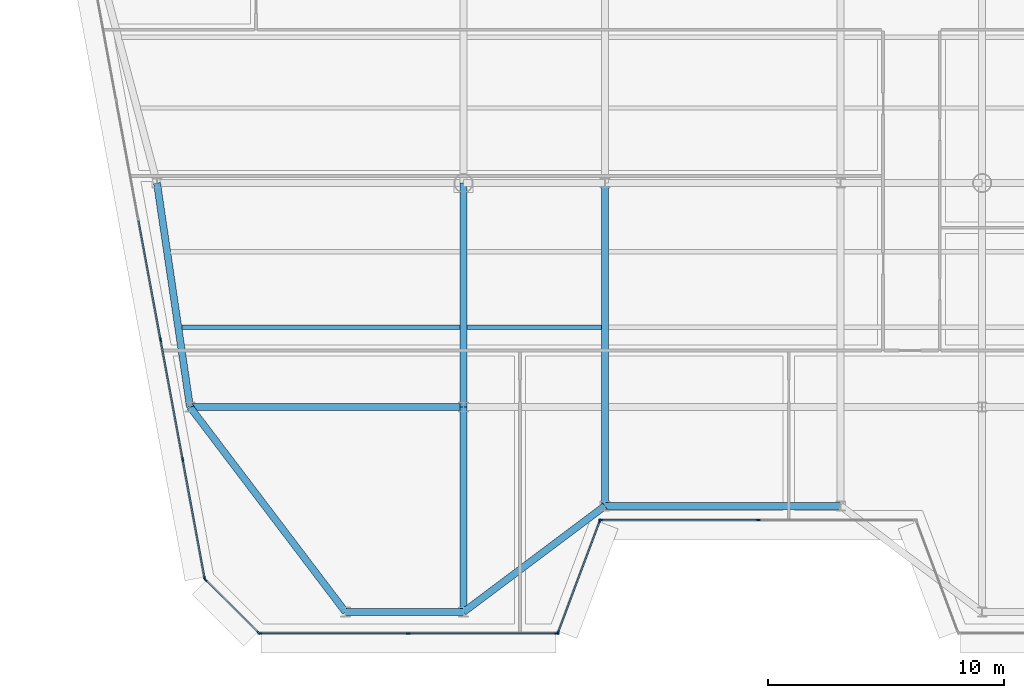
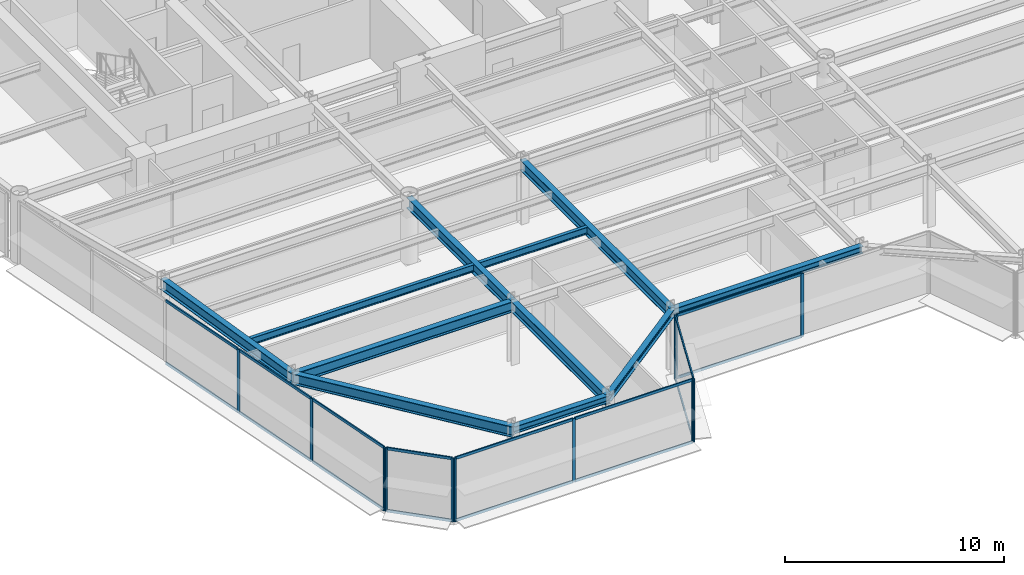
# One storey, part 2 of 17: 28 members, 11 beams, 5 elements without a shape of their own.
"""IFC4 building model written with IfcOpenShell, lengths in metres."""

import ifcopenshell
import ifcopenshell.guid

model = None  # the IFC model being written
_history = None  # IfcOwnerHistory: only IFC2X3 demands one
_inside = {}  # id of a spatial element -> (the spatial element, [elements in it])
_under = {}  # id of a project, library or spatial element -> (it, [spatial elements below it])
_declared = {}  # id of a project -> (the project, [libraries it declares])
_typed = {}  # id of a type object -> (the type object, [elements of that type])
_made_of = {}  # id of a material, layer set ... -> (it, [elements and type objects made of it])


def new_model(schema):
    """Start an empty IFC model of exactly this schema.

    Asked for "IFC4X3", IfcOpenShell would pick the latest addendum, in which some entities
    have other attributes; the version numbers below select the first issue.
    IFC2X3 requires an IfcOwnerHistory on every rooted entity: one is made here for all.
    """
    global model, _history
    if schema == "IFC4X3":
        model = ifcopenshell.file(schema_version=(4, 3, 0, 0))
    else:
        model = ifcopenshell.file(schema=schema)
    _inside.clear()
    _under.clear()
    _declared.clear()
    _typed.clear()
    _made_of.clear()
    _history = None
    if model.schema == "IFC2X3":
        org = make("IfcOrganization", Name="unknown")
        user = make(
            "IfcPersonAndOrganization",
            ThePerson=make("IfcPerson", FamilyName="unknown"),
            TheOrganization=org,
        )
        app = make(
            "IfcApplication",
            ApplicationDeveloper=org,
            Version="unknown",
            ApplicationFullName="unknown",
            ApplicationIdentifier="unknown",
        )
        _history = make(
            "IfcOwnerHistory",
            OwningUser=user,
            OwningApplication=app,
            ChangeAction="ADDED",
            CreationDate=0,
        )
    return model


def make(cls, **values):
    """One entity of the class cls with the attributes given. An attribute that is None is left unset."""
    return model.create_entity(
        cls, **{name: value for name, value in values.items() if value is not None}
    )


def rooted(cls, **values):
    """An entity with a GlobalId (a new one), such as an element, a storey or a relation."""
    return make(cls, GlobalId=ifcopenshell.guid.new(), OwnerHistory=_history, **values)


def si_unit(unit_type, name, prefix=None):
    """IfcSIUnit, for example si_unit("LENGTHUNIT", "METRE", prefix="MILLI")."""
    return make("IfcSIUnit", UnitType=unit_type, Prefix=prefix, Name=name)


def assignment(units):
    """IfcUnitAssignment: the units of a project."""
    return None if units is None else make("IfcUnitAssignment", Units=units)


def point(xyz):
    """IfcCartesianPoint."""
    return None if xyz is None else make("IfcCartesianPoint", Coordinates=xyz)


def direction(xyz):
    """IfcDirection."""
    return None if xyz is None else make("IfcDirection", DirectionRatios=xyz)


def frame(location, z_axis=None, x_axis=None):
    """IfcAxis2Placement3D, a coordinate frame: its origin and axes. An axis left out is left unset."""
    return make(
        "IfcAxis2Placement3D",
        Location=point(location),
        Axis=direction(z_axis),
        RefDirection=direction(x_axis),
    )


def frame_2d(location, x_axis=None):
    """IfcAxis2Placement2D, a coordinate frame in the plane: its origin and x axis."""
    return make(
        "IfcAxis2Placement2D", Location=point(location), RefDirection=direction(x_axis)
    )


def origin():
    """The frame at (0, 0, 0) with its axes left unset."""
    return frame((0.0, 0.0, 0.0))


def origin_2d():
    """The frame at (0, 0) in the plane with its x axis left unset."""
    return frame_2d((0.0, 0.0))


def place(relative_to, where):
    """IfcLocalPlacement: puts the frame where relative to a parent placement (None: the world)."""
    return make(
        "IfcLocalPlacement", PlacementRelTo=relative_to, RelativePlacement=where
    )


def context(
    kind, dimensions, precision=None, world=None, true_north=None, identifier=None
):
    """IfcGeometricRepresentationContext, for example the 3D "Model" context."""
    return make(
        "IfcGeometricRepresentationContext",
        ContextIdentifier=identifier,
        ContextType=kind,
        CoordinateSpaceDimension=dimensions,
        Precision=precision,
        WorldCoordinateSystem=world,
        TrueNorth=true_north,
    )


def subcontext(parent, identifier, kind, view, scale=None):
    """IfcGeometricRepresentationSubContext, for example "Body" below "Model"."""
    return make(
        "IfcGeometricRepresentationSubContext",
        ContextIdentifier=identifier,
        ContextType=kind,
        ParentContext=parent,
        TargetScale=scale,
        TargetView=view,
    )


def project(units=None, contexts=None):
    """IfcProject with its units and contexts."""
    return rooted(
        "IfcProject",
        Name="project",
        RepresentationContexts=contexts,
        UnitsInContext=assignment(units),
    )


def spatial(cls, under=None, at=None, **own):
    """A site, building, storey or space (cls), placed at a placement, below another one or the project."""
    s = rooted(cls, ObjectPlacement=at, **own)
    if under is not None:
        _under.setdefault(under.id(), (under, []))[1].append(s)
    return s


def profile(cls, at=None, kind="AREA", **sizes):
    """A parametric profile (cls). Its sizes go by their IFC names, for example OverallWidth=200.0."""
    return make(cls, ProfileType=kind, Position=at, **sizes)


def rectangle(**sizes):
    """IfcRectangleProfileDef."""
    return profile("IfcRectangleProfileDef", **sizes)


def i_section(**sizes):
    """IfcIShapeProfileDef."""
    return profile("IfcIShapeProfileDef", **sizes)


def extrude(swept, where, along, depth):
    """IfcExtrudedAreaSolid: the profile swept, set in the frame where, extruded along a direction by depth."""
    return make(
        "IfcExtrudedAreaSolid",
        SweptArea=swept,
        Position=where,
        ExtrudedDirection=direction(along),
        Depth=depth,
    )


def shape(context_of_items, identifier, shape_type, items):
    """IfcShapeRepresentation: the items that make up one representation, for example the "Body"."""
    return make(
        "IfcShapeRepresentation",
        ContextOfItems=context_of_items,
        RepresentationIdentifier=identifier,
        RepresentationType=shape_type,
        Items=items,
    )


def source(mapping_origin, context_of_items, identifier, shape_type, items):
    """IfcRepresentationMap: a shape defined once, which mapped items show again and again."""
    return make(
        "IfcRepresentationMap",
        MappingOrigin=mapping_origin,
        MappedRepresentation=shape(context_of_items, identifier, shape_type, items),
    )


def transform(
    local_origin,
    x_axis=None,
    y_axis=None,
    z_axis=None,
    scale=None,
    scale2=None,
    scale3=None,
    uniform=True,
):
    """IfcCartesianTransformationOperator3D, or its non-uniform kind. x_axis, y_axis, z_axis: its Axis1, 2, 3."""
    if uniform:
        return make(
            "IfcCartesianTransformationOperator3D",
            Axis1=direction(x_axis),
            Axis2=direction(y_axis),
            LocalOrigin=point(local_origin),
            Scale=scale,
            Axis3=direction(z_axis),
        )
    return make(
        "IfcCartesianTransformationOperator3DnonUniform",
        Axis1=direction(x_axis),
        Axis2=direction(y_axis),
        LocalOrigin=point(local_origin),
        Scale=scale,
        Axis3=direction(z_axis),
        Scale2=scale2,
        Scale3=scale3,
    )


def mapped(mapping_source, mapping_target):
    """IfcMappedItem: shows the shape of a source again, moved by a transform."""
    return make(
        "IfcMappedItem", MappingSource=mapping_source, MappingTarget=mapping_target
    )


def material(Name=None, Category=None):
    """IfcMaterial."""
    return make("IfcMaterial", Name=Name, Category=Category)


def layer(
    of_material, thickness, ventilated=None, Name=None, Category=None, Priority=None
):
    """IfcMaterialLayer: one layer of a wall or slab, of a material (None: an air gap)."""
    return make(
        "IfcMaterialLayer",
        Material=of_material,
        LayerThickness=thickness,
        IsVentilated=ventilated,
        Name=Name,
        Category=Category,
        Priority=Priority,
    )


def layer_set(layers, Name=None):
    """IfcMaterialLayerSet."""
    return make("IfcMaterialLayerSet", MaterialLayers=layers, LayerSetName=Name)


def material_profile(
    of_material, cross_section, Name=None, Category=None, Priority=None
):
    """IfcMaterialProfile: a cross section and its material."""
    return make(
        "IfcMaterialProfile",
        Name=Name,
        Material=of_material,
        Profile=cross_section,
        Priority=Priority,
        Category=Category,
    )


def profile_set(profiles, Name=None, composite=None):
    """IfcMaterialProfileSet."""
    return make(
        "IfcMaterialProfileSet",
        Name=Name,
        MaterialProfiles=profiles,
        CompositeProfile=composite,
    )


def made_of(thing, what):
    """Note that an element or type object is made of a material, layer set ...; save() writes the relation."""
    if what is not None:
        _made_of.setdefault(what.id(), (what, []))[1].append(thing)
    return thing


def type_object(cls, material=None, **own):
    """A type object (cls), such as IfcWallType, which elements share."""
    return made_of(rooted(cls, **own), material)


def element(
    cls,
    number,
    at=None,
    inside=None,
    cuts=None,
    type_object=None,
    material=None,
    context=None,
    identifier="Body",
    shape_type=None,
    held_by="IfcProductDefinitionShape",
    body=None,
    shapes=None,
    **own,
):
    """One element of the class cls, such as IfcWall. Its Tag is "e" and its number.

    at: its placement. inside: the storey or other place that contains it. cuts: it is an
    opening in that element (IfcRelVoidsElement). A single representation is given by context,
    identifier, shape_type and body (its items); several are given by shapes. held_by: the class
    of the entity that holds the representations. save() writes the other relations.
    """
    e = rooted(cls, Tag="e%d" % number, ObjectPlacement=at, **own)
    if body is not None:
        shapes = [shape(context, identifier, shape_type, body)]
    if shapes is not None:
        e.Representation = make(held_by, Representations=shapes)
    if inside is not None:
        _inside.setdefault(inside.id(), (inside, []))[1].append(e)
    if cuts is not None:
        rooted(
            "IfcRelVoidsElement", RelatingBuildingElement=cuts, RelatedOpeningElement=e
        )
    if type_object is not None:
        _typed.setdefault(type_object.id(), (type_object, []))[1].append(e)
    return made_of(e, material)


def aggregate(whole, parts):
    """IfcRelAggregates: a whole, such as a stair, and the parts it consists of."""
    return rooted("IfcRelAggregates", RelatingObject=whole, RelatedObjects=parts)


def save(model, path):
    """Write the relations noted so far, then the file.

    IfcRelAggregates (storeys below a building ...), IfcRelContainedInSpatialStructure (elements
    in a storey), IfcRelDefinesByType, IfcRelAssociatesMaterial and IfcRelDeclares: one each for
    every whole, place, type object, material and project.
    """
    for whole, parts in _under.values():
        aggregate(whole, parts)
    for where, things in _inside.values():
        rooted(
            "IfcRelContainedInSpatialStructure",
            RelatedElements=things,
            RelatingStructure=where,
        )
    for kind, things in _typed.values():
        rooted("IfcRelDefinesByType", RelatedObjects=things, RelatingType=kind)
    for what, things in _made_of.values():
        rooted("IfcRelAssociatesMaterial", RelatedObjects=things, RelatingMaterial=what)
    for by, libraries in _declared.values():
        rooted("IfcRelDeclares", RelatingContext=by, RelatedDefinitions=libraries)
    model.write(path)


model = new_model("IFC4")

# Units and contexts
model_context = context("Model", 3, precision=1e-05, world=origin(), true_north=direction((0.0, 1.0)))
body_context = subcontext(model_context, "Body", "Model", "MODEL_VIEW")
ifc_project = project(units=[si_unit("LENGTHUNIT", "METRE"), si_unit("AREAUNIT", "SQUARE_METRE"), si_unit("VOLUMEUNIT", "CUBIC_METRE"), si_unit("PLANEANGLEUNIT", "RADIAN"), si_unit("MASSUNIT", "GRAM", prefix="KILO")], contexts=[model_context])

# Site, building, storey
site_placement = place(None, origin())
site = spatial("IfcSite", under=ifc_project, at=site_placement, CompositionType="ELEMENT")
building_placement = place(site_placement, origin())
building = spatial("IfcBuilding", under=site, at=building_placement, Name="Vaeldorn Concourse Tower", CompositionType="ELEMENT")
storey_placement = place(building_placement, frame((0.0, 0.0, 214.60009765625)))
storey = spatial("IfcBuildingStorey", under=building, at=storey_placement, Name="L55", CompositionType="ELEMENT", Elevation=214.60009765625)

# Beams
ifc_material_1 = material(Name="Steel S355", Category="steel")
ifc_material_profile_1 = material_profile(ifc_material_1, i_section(OverallWidth=0.300048828125, OverallDepth=0.60009765625, WebThickness=0.015380859375, FlangeThickness=0.030029296875, FilletRadius=0.027099609375, at=origin_2d()), Name="HEB 600")
ifc_profile_set_1 = profile_set([ifc_material_profile_1], Name="Steel S355")
beam_type_1 = type_object("IfcBeamType", Name="BM-PG-HEB600", PredefinedType="BEAM", material=ifc_profile_set_1)
shared_shape_1 = source(origin(), body_context, "Body", "SweptSolid", [
    extrude(i_section(OverallWidth=0.300048828125, OverallDepth=0.60009765625, WebThickness=0.015380859375, FlangeThickness=0.030029296875, FilletRadius=0.027099609375, at=origin_2d()), origin(), (0.0, 0.0, 1.0), 9.6025390625),
])
beam_1_placement = place(storey_placement, frame((10.0, 27.5, 3.239990234375), z_axis=(0.145783835977, -0.989316467652, 0.0), x_axis=(0.989316467652, 0.145783835977, 0.0)))
element("IfcBeam", 1, at=beam_1_placement, inside=storey, type_object=beam_type_1, Name="Beam BM-L55-C-FLW1-C-FLW2", PredefinedType="BEAM", context=body_context, shape_type="MappedRepresentation", body=[
    mapped(shared_shape_1, transform((0.0, 0.0, 0.0), scale=1.0)),
])
shared_shape_2 = source(origin(), body_context, "Body", "SweptSolid", [
    extrude(i_section(OverallWidth=0.300048828125, OverallDepth=0.60009765625, WebThickness=0.015380859375, FlangeThickness=0.030029296875, FilletRadius=0.027099609375, at=origin_2d()), origin(), (0.0, 0.0, 1.0), 11.60009765625),
])
beam_2_placement = place(storey_placement, frame((11.39990234375, 18.0, 3.239990234375), z_axis=(1.0, 0.0, 0.0), x_axis=(0.0, 1.0, 0.0)))
element("IfcBeam", 2, at=beam_2_placement, inside=storey, type_object=beam_type_1, Name="Beam BM-L55-C-FLW2-C-TW5", PredefinedType="BEAM", context=body_context, shape_type="MappedRepresentation", body=[
    mapped(shared_shape_2, transform((0.0, 0.0, 0.0), scale=1.0)),
])
shared_shape_3 = source(origin(), body_context, "Body", "SweptSolid", [
    extrude(i_section(OverallWidth=0.300048828125, OverallDepth=0.60009765625, WebThickness=0.015380859375, FlangeThickness=0.030029296875, FilletRadius=0.027099609375, at=origin_2d()), origin(), (0.0, 0.0, 1.0), 9.5),
])
beam_3_placement = place(storey_placement, frame((23.0, 18.0, 3.239990234375), z_axis=(0.0, 1.0, 0.0), x_axis=(-1.0, 0.0, 0.0)))
element("IfcBeam", 3, at=beam_3_placement, inside=storey, type_object=beam_type_1, Name="Beam BM-L55-C-TW5-C-TW1", PredefinedType="BEAM", context=body_context, shape_type="MappedRepresentation", body=[
    mapped(shared_shape_3, transform((0.0, 0.0, 0.0), scale=1.0)),
])
ifc_material_profile_2 = material_profile(ifc_material_1, i_section(OverallWidth=0.300048828125, OverallDepth=0.39990234375, WebThickness=0.013427734375, FlangeThickness=0.02392578125, FilletRadius=0.027099609375, at=origin_2d()), Name="HEB 400")
ifc_profile_set_2 = profile_set([ifc_material_profile_2], Name="Steel S355")
beam_type_2 = type_object("IfcBeamType", Name="BM-SP-HEB400", PredefinedType="SPANDREL", material=ifc_profile_set_2)
shared_shape_4 = source(origin(), body_context, "Body", "SweptSolid", [
    extrude(i_section(OverallWidth=0.300048828125, OverallDepth=0.39990234375, WebThickness=0.013427734375, FlangeThickness=0.02392578125, FilletRadius=0.027099609375, at=origin_2d()), origin(), (0.0, 0.0, 1.0), 5.0),
])
beam_4_placement = place(storey_placement, frame((18.0, 9.300048828125, 3.33984375), z_axis=(1.0, 0.0, 0.0), x_axis=(0.0, 1.0, 0.0)))
element("IfcBeam", 4, at=beam_4_placement, inside=storey, type_object=beam_type_2, Name="Beam BM-L55-C-SF1-C-SF2", PredefinedType="SPANDREL", context=body_context, shape_type="MappedRepresentation", body=[
    mapped(shared_shape_4, transform((0.0, 0.0, 0.0), scale=1.0)),
])
shared_shape_5 = source(origin(), body_context, "Body", "SweptSolid", [
    extrude(i_section(OverallWidth=0.300048828125, OverallDepth=0.39990234375, WebThickness=0.013427734375, FlangeThickness=0.02392578125, FilletRadius=0.027099609375, at=origin_2d()), origin(), (0.0, 0.0, 1.0), 7.5),
])
beam_5_placement = place(storey_placement, frame((23.0, 9.300048828125, 3.33984375), z_axis=(0.8, 0.6, 0.0), x_axis=(-0.6, 0.8, 0.0)))
element("IfcBeam", 5, at=beam_5_placement, inside=storey, type_object=beam_type_2, Name="Beam BM-L55-C-SF2-C-SF3", PredefinedType="SPANDREL", context=body_context, shape_type="MappedRepresentation", body=[
    mapped(shared_shape_5, transform((0.0, 0.0, 0.0), scale=1.0)),
])
shared_shape_6 = source(origin(), body_context, "Body", "SweptSolid", [
    extrude(i_section(OverallWidth=0.300048828125, OverallDepth=0.39990234375, WebThickness=0.013427734375, FlangeThickness=0.02392578125, FilletRadius=0.027099609375, at=origin_2d()), origin(), (0.0, 0.0, 1.0), 10.0),
])
beam_6_placement = place(storey_placement, frame((29.0, 13.800048828125, 3.33984375), z_axis=(1.0, 0.0, 0.0), x_axis=(0.0, 1.0, 0.0)))
element("IfcBeam", 6, at=beam_6_placement, inside=storey, type_object=beam_type_2, Name="Beam BM-L55-C-SF3-C-SF4", PredefinedType="SPANDREL", context=body_context, shape_type="MappedRepresentation", body=[
    mapped(shared_shape_6, transform((0.0, 0.0, 0.0), scale=1.0)),
])
ifc_material_profile_3 = material_profile(ifc_material_1, i_section(OverallWidth=0.179931640625, OverallDepth=0.39990234375, WebThickness=0.008544921875, FlangeThickness=0.013427734375, FilletRadius=0.02099609375, at=origin_2d()), Name="IPE 400")
ifc_profile_set_3 = profile_set([ifc_material_profile_3], Name="Steel S355")
beam_type_3 = type_object("IfcBeamType", Name="BM-JS-IPE400", PredefinedType="JOIST", material=ifc_profile_set_3)
shared_shape_7 = source(origin(), body_context, "Body", "SweptSolid", [
    extrude(i_section(OverallWidth=0.179931640625, OverallDepth=0.39990234375, WebThickness=0.008544921875, FlangeThickness=0.013427734375, FilletRadius=0.02099609375, at=origin_2d()), origin(), (0.0, 0.0, 1.0), 11.798095703125),
])
beam_7_placement = place(storey_placement, frame((11.052001953125, 21.3798828125, 3.33984375), z_axis=(1.0, 0.0, 0.0), x_axis=(0.0, 1.0, 0.0)))
element("IfcBeam", 7, at=beam_7_placement, inside=storey, type_object=beam_type_3, Name="Beam JS-L55-W1-213", PredefinedType="JOIST", context=body_context, shape_type="MappedRepresentation", body=[
    mapped(shared_shape_7, transform((0.0, 0.0, 0.0), scale=1.0)),
])
shared_shape_8 = source(origin(), body_context, "Body", "SweptSolid", [
    extrude(i_section(OverallWidth=0.179931640625, OverallDepth=0.39990234375, WebThickness=0.008544921875, FlangeThickness=0.013427734375, FilletRadius=0.02099609375, at=origin_2d()), origin(), (0.0, 0.0, 1.0), 5.7001953125),
])
beam_8_placement = place(storey_placement, frame((23.14990234375, 21.3798828125, 3.33984375), z_axis=(1.0, 0.0, 0.0), x_axis=(0.0, 1.0, 0.0)))
element("IfcBeam", 8, at=beam_8_placement, inside=storey, type_object=beam_type_3, Name="Beam JS-L55-W2-213", PredefinedType="JOIST", context=body_context, shape_type="MappedRepresentation", body=[
    mapped(shared_shape_8, transform((0.0, 0.0, 0.0), scale=1.0)),
])
shared_shape_9 = source(origin(), body_context, "Body", "SweptSolid", [
    extrude(i_section(OverallWidth=0.300048828125, OverallDepth=0.60009765625, WebThickness=0.015380859375, FlangeThickness=0.030029296875, FilletRadius=0.027099609375, at=origin_2d()), origin(), (0.0, 0.0, 1.0), 10.920166015625),
])
beam_9_placement = place(storey_placement, frame((18.0, 9.300048828125, 3.239990234375), z_axis=(-0.604394310451, 0.796685331542, 0.0), x_axis=(-0.796685331542, -0.604394310451, 0.0)))
element("IfcBeam", 9, at=beam_9_placement, inside=storey, type_object=beam_type_1, Name="Beam BM-L55-C-SF1-C-FLW2", PredefinedType="BEAM", context=body_context, shape_type="MappedRepresentation", body=[
    mapped(shared_shape_9, transform((0.0, 0.0, 0.0), scale=1.0)),
])
shared_shape_10 = source(origin(), body_context, "Body", "SweptSolid", [
    extrude(i_section(OverallWidth=0.300048828125, OverallDepth=0.60009765625, WebThickness=0.015380859375, FlangeThickness=0.030029296875, FilletRadius=0.027099609375, at=origin_2d()), origin(), (0.0, 0.0, 1.0), 8.699951171875),
])
beam_10_placement = place(storey_placement, frame((23.0, 9.300048828125, 3.239990234375), z_axis=(0.0, 1.0, 0.0), x_axis=(-1.0, 0.0, 0.0)))
element("IfcBeam", 10, at=beam_10_placement, inside=storey, type_object=beam_type_1, Name="Beam BM-L55-C-SF2-C-TW5", PredefinedType="BEAM", context=body_context, shape_type="MappedRepresentation", body=[
    mapped(shared_shape_10, transform((0.0, 0.0, 0.0), scale=1.0)),
])
shared_shape_11 = source(origin(), body_context, "Body", "SweptSolid", [
    extrude(i_section(OverallWidth=0.300048828125, OverallDepth=0.60009765625, WebThickness=0.015380859375, FlangeThickness=0.030029296875, FilletRadius=0.027099609375, at=origin_2d()), origin(), (0.0, 0.0, 1.0), 13.699951171875),
])
beam_11_placement = place(storey_placement, frame((29.0, 13.800048828125, 3.239990234375), z_axis=(0.0, 1.0, 0.0), x_axis=(-1.0, 0.0, 0.0)))
element("IfcBeam", 11, at=beam_11_placement, inside=storey, type_object=beam_type_1, Name="Beam BM-L55-C-SF3-C-TW2", PredefinedType="BEAM", context=body_context, shape_type="MappedRepresentation", body=[
    mapped(shared_shape_11, transform((0.0, 0.0, 0.0), scale=1.0)),
])

# Curtain wall, members
ifc_material_2 = material(Name="Anodised Bronze Aluminium", Category="aluminium")
ifc_layer = layer(ifc_material_2, 0.18994140625)
ifc_layer_set = layer_set([ifc_layer], Name="Anodised Bronze Aluminium")
curtain_wall_type = type_object("IfcCurtainWallType", Name="CW-SYS-03", PredefinedType="NOTDEFINED", material=ifc_layer_set)
curtain_wall_1_placement = place(storey_placement, origin())
curtain_wall_1 = element("IfcCurtainWall", 12, at=curtain_wall_1_placement, inside=storey, type_object=curtain_wall_type, Name="Unitised Curtain Wall CW-L55-E02-1", PredefinedType="NOTDEFINED")
ifc_material_profile_4 = material_profile(ifc_material_2, rectangle(XDim=0.06494140625, YDim=0.14990234375, at=origin_2d()), Name="CWT 65x150")
ifc_profile_set_4 = profile_set([ifc_material_profile_4], Name="Anodised Bronze Aluminium")
member_type_1 = type_object("IfcMemberType", Name="CWT-BRONZE-150", PredefinedType="USERDEFINED", material=ifc_profile_set_4)
shared_shape_12 = source(origin(), body_context, "Body", "SweptSolid", [
    extrude(rectangle(XDim=0.06494140625, YDim=0.14990234375, at=origin_2d()), origin(), (0.0, 0.0, 1.0), 4.996337890625),
])
member_1_placement = place(storey_placement, frame((27.022705078125, 8.4609375, 0.032470703125), z_axis=(0.351134151405, 0.936325161318, 0.0), x_axis=(-0.936325161318, 0.351134151405, 0.0)))
member_1 = element("IfcMember", 13, at=member_1_placement, type_object=member_type_1, Name="CW-03 transom 1.1", ObjectType="TRANSOM", PredefinedType="USERDEFINED", context=body_context, shape_type="MappedRepresentation", body=[
    mapped(shared_shape_12, transform((0.0, 0.0, 0.0), scale=1.0)),
])
member_2_placement = place(storey_placement, frame((27.022705078125, 8.4609375, 3.50732421875), z_axis=(0.351134151405, 0.936325161318, 0.0), x_axis=(-0.936325161318, 0.351134151405, 0.0)))
member_2 = element("IfcMember", 14, at=member_2_placement, type_object=member_type_1, Name="CW-03 transom 1.2", ObjectType="TRANSOM", PredefinedType="USERDEFINED", context=body_context, shape_type="MappedRepresentation", body=[
    mapped(shared_shape_12, transform((0.0, 0.0, 0.0), scale=1.0)),
])

curtain_wall_2_placement = place(storey_placement, origin())
curtain_wall_2 = element("IfcCurtainWall", 15, at=curtain_wall_2_placement, inside=storey, type_object=curtain_wall_type, Name="Unitised Curtain Wall CW-L55-E03-1", PredefinedType="NOTDEFINED")
shared_shape_13 = source(origin(), body_context, "Body", "SweptSolid", [
    extrude(rectangle(XDim=0.06494140625, YDim=0.14990234375, at=origin_2d()), origin(), (0.0, 0.0, 1.0), 6.6025390625),
])
member_3_placement = place(storey_placement, frame((28.864990234375, 13.199951171875, 0.032470703125), z_axis=(1.0, 0.0, 0.0), x_axis=(0.0, 1.0, 0.0)))
member_3 = element("IfcMember", 16, at=member_3_placement, type_object=member_type_1, Name="CW-03 transom 1.1", ObjectType="TRANSOM", PredefinedType="USERDEFINED", context=body_context, shape_type="MappedRepresentation", body=[
    mapped(shared_shape_13, transform((0.0, 0.0, 0.0), scale=1.0)),
])
member_4_placement = place(storey_placement, frame((28.864990234375, 13.199951171875, 3.50732421875), z_axis=(1.0, 0.0, 0.0), x_axis=(0.0, 1.0, 0.0)))
member_4 = element("IfcMember", 17, at=member_4_placement, type_object=member_type_1, Name="CW-03 transom 1.2", ObjectType="TRANSOM", PredefinedType="USERDEFINED", context=body_context, shape_type="MappedRepresentation", body=[
    mapped(shared_shape_13, transform((0.0, 0.0, 0.0), scale=1.0)),
])

curtain_wall_3_placement = place(storey_placement, origin())
curtain_wall_3 = element("IfcCurtainWall", 18, at=curtain_wall_3_placement, inside=storey, type_object=curtain_wall_type, Name="Unitised Curtain Wall CW-L55-E12-1", PredefinedType="NOTDEFINED")
shared_shape_14 = source(origin(), body_context, "Body", "SweptSolid", [
    extrude(rectangle(XDim=0.06494140625, YDim=0.14990234375, at=origin_2d()), origin(), (0.0, 0.0, 1.0), 3.12255859375),
])
member_5_placement = place(storey_placement, frame((12.074951171875, 10.654052734375, 0.032470703125), z_axis=(0.707106781187, -0.707106781187, 0.0), x_axis=(0.707106781187, 0.707106781187, 0.0)))
member_5 = element("IfcMember", 19, at=member_5_placement, type_object=member_type_1, Name="CW-03 transom 1.1", ObjectType="TRANSOM", PredefinedType="USERDEFINED", context=body_context, shape_type="MappedRepresentation", body=[
    mapped(shared_shape_14, transform((0.0, 0.0, 0.0), scale=1.0)),
])
member_6_placement = place(storey_placement, frame((12.074951171875, 10.654052734375, 3.50732421875), z_axis=(0.707106781187, -0.707106781187, 0.0), x_axis=(0.707106781187, 0.707106781187, 0.0)))
member_6 = element("IfcMember", 20, at=member_6_placement, type_object=member_type_1, Name="CW-03 transom 1.2", ObjectType="TRANSOM", PredefinedType="USERDEFINED", context=body_context, shape_type="MappedRepresentation", body=[
    mapped(shared_shape_14, transform((0.0, 0.0, 0.0), scale=1.0)),
])

curtain_wall_4_placement = place(storey_placement, origin())
curtain_wall_4 = element("IfcCurtainWall", 21, at=curtain_wall_4_placement, inside=storey, type_object=curtain_wall_type, Name="Unitised Curtain Wall CW-L55-E11-2", PredefinedType="NOTDEFINED")
shared_shape_15 = source(origin(), body_context, "Body", "SweptSolid", [
    extrude(rectangle(XDim=0.06494140625, YDim=0.14990234375, at=origin_2d()), origin(), (0.0, 0.0, 1.0), 5.065185546875),
])
member_7_placement = place(storey_placement, frame((11.095947265625, 15.74462890625, 0.032470703125), z_axis=(0.181857972654, -0.983324807875, 0.0), x_axis=(0.983324807875, 0.181857972654, 0.0)))
member_7 = element("IfcMember", 22, at=member_7_placement, type_object=member_type_1, Name="CW-03 transom 5.1", ObjectType="TRANSOM", PredefinedType="USERDEFINED", context=body_context, shape_type="MappedRepresentation", body=[
    mapped(shared_shape_15, transform((0.0, 0.0, 0.0), scale=1.0)),
])
member_8_placement = place(storey_placement, frame((11.095947265625, 15.74462890625, 3.50732421875), z_axis=(0.181857972654, -0.983324807875, 0.0), x_axis=(0.983324807875, 0.181857972654, 0.0)))
member_8 = element("IfcMember", 23, at=member_8_placement, type_object=member_type_1, Name="CW-03 transom 5.2", ObjectType="TRANSOM", PredefinedType="USERDEFINED", context=body_context, shape_type="MappedRepresentation", body=[
    mapped(shared_shape_15, transform((0.0, 0.0, 0.0), scale=1.0)),
])
shared_shape_16 = source(origin(), body_context, "Body", "SweptSolid", [
    extrude(rectangle(XDim=0.06494140625, YDim=0.14990234375, at=origin_2d()), origin(), (0.0, 0.0, 1.0), 5.097900390625),
])
member_9_placement = place(storey_placement, frame((9.2177734375, 25.898193359375, 0.032470703125), z_axis=(0.181885185048, -0.983319774773, 0.0), x_axis=(0.983319774773, 0.181885185048, 0.0)))
member_9 = element("IfcMember", 24, at=member_9_placement, type_object=member_type_1, Name="CW-03 transom 3.1", ObjectType="TRANSOM", PredefinedType="USERDEFINED", context=body_context, shape_type="MappedRepresentation", body=[
    mapped(shared_shape_16, transform((0.0, 0.0, 0.0), scale=1.0)),
])
member_10_placement = place(storey_placement, frame((9.2177734375, 25.898193359375, 3.50732421875), z_axis=(0.181885185048, -0.983319774773, 0.0), x_axis=(0.983319774773, 0.181885185048, 0.0)))
member_10 = element("IfcMember", 25, at=member_10_placement, type_object=member_type_1, Name="CW-03 transom 3.2", ObjectType="TRANSOM", PredefinedType="USERDEFINED", context=body_context, shape_type="MappedRepresentation", body=[
    mapped(shared_shape_16, transform((0.0, 0.0, 0.0), scale=1.0)),
])
member_11_placement = place(storey_placement, frame((10.15673828125, 20.821533203125, 0.032470703125), z_axis=(0.181885185048, -0.983319774773, 0.0), x_axis=(0.983319774773, 0.181885185048, 0.0)))
member_11 = element("IfcMember", 26, at=member_11_placement, type_object=member_type_1, Name="CW-03 transom 4.1", ObjectType="TRANSOM", PredefinedType="USERDEFINED", context=body_context, shape_type="MappedRepresentation", body=[
    mapped(shared_shape_16, transform((0.0, 0.0, 0.0), scale=1.0)),
])
member_12_placement = place(storey_placement, frame((10.15673828125, 20.821533203125, 3.50732421875), z_axis=(0.181885185048, -0.983319774773, 0.0), x_axis=(0.983319774773, 0.181885185048, 0.0)))
member_12 = element("IfcMember", 27, at=member_12_placement, type_object=member_type_1, Name="CW-03 transom 4.2", ObjectType="TRANSOM", PredefinedType="USERDEFINED", context=body_context, shape_type="MappedRepresentation", body=[
    mapped(shared_shape_16, transform((0.0, 0.0, 0.0), scale=1.0)),
])

curtain_wall_5_placement = place(storey_placement, origin())
curtain_wall_5 = element("IfcCurtainWall", 28, at=curtain_wall_5_placement, inside=storey, type_object=curtain_wall_type, Name="Unitised Curtain Wall CW-L55-E01-1", PredefinedType="NOTDEFINED")
shared_shape_17 = source(origin(), body_context, "Body", "SweptSolid", [
    extrude(rectangle(XDim=0.06494140625, YDim=0.14990234375, at=origin_2d()), origin(), (0.0, 0.0, 1.0), 6.238037109375),
])
member_13_placement = place(storey_placement, frame((14.39404296875, 8.39990234375, 0.032470703125), z_axis=(1.0, 0.0, 0.0), x_axis=(0.0, 1.0, 0.0)))
member_13 = element("IfcMember", 29, at=member_13_placement, type_object=member_type_1, Name="CW-03 transom 1.1", ObjectType="TRANSOM", PredefinedType="USERDEFINED", context=body_context, shape_type="MappedRepresentation", body=[
    mapped(shared_shape_17, transform((0.0, 0.0, 0.0), scale=1.0)),
])
member_14_placement = place(storey_placement, frame((14.39404296875, 8.39990234375, 3.50732421875), z_axis=(1.0, 0.0, 0.0), x_axis=(0.0, 1.0, 0.0)))
member_14 = element("IfcMember", 30, at=member_14_placement, type_object=member_type_1, Name="CW-03 transom 1.2", ObjectType="TRANSOM", PredefinedType="USERDEFINED", context=body_context, shape_type="MappedRepresentation", body=[
    mapped(shared_shape_17, transform((0.0, 0.0, 0.0), scale=1.0)),
])
member_15_placement = place(storey_placement, frame((20.697021484375, 8.39990234375, 0.032470703125), z_axis=(1.0, 0.0, 0.0), x_axis=(0.0, 1.0, 0.0)))
member_15 = element("IfcMember", 31, at=member_15_placement, type_object=member_type_1, Name="CW-03 transom 2.1", ObjectType="TRANSOM", PredefinedType="USERDEFINED", context=body_context, shape_type="MappedRepresentation", body=[
    mapped(shared_shape_17, transform((0.0, 0.0, 0.0), scale=1.0)),
])
member_16_placement = place(storey_placement, frame((20.697021484375, 8.39990234375, 3.50732421875), z_axis=(1.0, 0.0, 0.0), x_axis=(0.0, 1.0, 0.0)))
member_16 = element("IfcMember", 32, at=member_16_placement, type_object=member_type_1, Name="CW-03 transom 2.2", ObjectType="TRANSOM", PredefinedType="USERDEFINED", context=body_context, shape_type="MappedRepresentation", body=[
    mapped(shared_shape_17, transform((0.0, 0.0, 0.0), scale=1.0)),
])
ifc_material_profile_5 = material_profile(ifc_material_2, rectangle(XDim=0.06494140625, YDim=0.169921875, at=origin_2d()), Name="CWM 65x170")
ifc_profile_set_5 = profile_set([ifc_material_profile_5], Name="Anodised Bronze Aluminium")
member_type_2 = type_object("IfcMemberType", Name="CWM-BRONZE-170", PredefinedType="MULLION", material=ifc_profile_set_5)
shared_shape_18 = source(origin(), body_context, "Body", "SweptSolid", [
    extrude(rectangle(XDim=0.06494140625, YDim=0.169921875, at=origin_2d()), origin(), (0.0, 0.0, 1.0), 3.539794921875),
])
member_17_placement = place(storey_placement, frame((14.361572265625, 8.39990234375, 0.0), z_axis=(0.0, 0.0, 1.0), x_axis=(0.0, 1.0, 0.0)))
member_17 = element("IfcMember", 33, at=member_17_placement, type_object=member_type_2, Name="CW-03 mullion 1", PredefinedType="MULLION", context=body_context, shape_type="MappedRepresentation", body=[
    mapped(shared_shape_18, transform((0.0, 0.0, 0.0), scale=1.0)),
])
member_18_placement = place(storey_placement, frame((20.66455078125, 8.39990234375, 0.0), z_axis=(0.0, 0.0, 1.0), x_axis=(0.0, 1.0, 0.0)))
member_18 = element("IfcMember", 34, at=member_18_placement, type_object=member_type_2, Name="CW-03 mullion 2", PredefinedType="MULLION", context=body_context, shape_type="MappedRepresentation", body=[
    mapped(shared_shape_18, transform((0.0, 0.0, 0.0), scale=1.0)),
])
member_19_placement = place(storey_placement, frame((26.967529296875, 8.39990234375, 0.0), z_axis=(0.0, 0.0, 1.0), x_axis=(0.0, 1.0, 0.0)))
member_19 = element("IfcMember", 35, at=member_19_placement, type_object=member_type_2, Name="CW-03 mullion 3", PredefinedType="MULLION", context=body_context, shape_type="MappedRepresentation", body=[
    mapped(shared_shape_18, transform((0.0, 0.0, 0.0), scale=1.0)),
])
aggregate(curtain_wall_5, [member_17, member_18, member_19, member_13, member_14, member_15, member_16])

# Member
member_20_placement = place(storey_placement, frame((27.011474609375, 8.430419921875, 0.0), z_axis=(0.0, 0.0, 1.0), x_axis=(-0.936329177566, 0.351123441595, 0.0)))
member_20 = element("IfcMember", 36, at=member_20_placement, type_object=member_type_2, Name="CW-03 mullion 1", PredefinedType="MULLION", context=body_context, shape_type="MappedRepresentation", body=[
    mapped(shared_shape_18, transform((0.0, 0.0, 0.0), scale=1.0)),
])

member_21_placement = place(storey_placement, frame((28.78857421875, 13.169677734375, 0.0), z_axis=(0.0, 0.0, 1.0), x_axis=(-0.936329177566, 0.351123441595, 0.0)))
member_21 = element("IfcMember", 37, at=member_21_placement, type_object=member_type_2, Name="CW-03 mullion 2", PredefinedType="MULLION", context=body_context, shape_type="MappedRepresentation", body=[
    mapped(shared_shape_18, transform((0.0, 0.0, 0.0), scale=1.0)),
])

aggregate(curtain_wall_1, [member_20, member_21, member_1, member_2])

member_22_placement = place(storey_placement, frame((28.83251953125, 13.199951171875, 0.0), z_axis=(0.0, 0.0, 1.0), x_axis=(0.0, 1.0, 0.0)))
member_22 = element("IfcMember", 38, at=member_22_placement, type_object=member_type_2, Name="CW-03 mullion 1", PredefinedType="MULLION", context=body_context, shape_type="MappedRepresentation", body=[
    mapped(shared_shape_18, transform((0.0, 0.0, 0.0), scale=1.0)),
])

member_23_placement = place(storey_placement, frame((35.5, 13.199951171875, 0.0), z_axis=(0.0, 0.0, 1.0), x_axis=(0.0, 1.0, 0.0)))
member_23 = element("IfcMember", 39, at=member_23_placement, type_object=member_type_2, Name="CW-03 mullion 2", PredefinedType="MULLION", context=body_context, shape_type="MappedRepresentation", body=[
    mapped(shared_shape_18, transform((0.0, 0.0, 0.0), scale=1.0)),
])

aggregate(curtain_wall_2, [member_22, member_23, member_3, member_4])

member_24_placement = place(storey_placement, frame((10.15087890625, 20.853515625, 0.0), z_axis=(0.0, 0.0, 1.0), x_axis=(0.983319079021, 0.181888946432, 0.0)))
member_24 = element("IfcMember", 40, at=member_24_placement, type_object=member_type_2, Name="CW-03 mullion 4", PredefinedType="MULLION", context=body_context, shape_type="MappedRepresentation", body=[
    mapped(shared_shape_18, transform((0.0, 0.0, 0.0), scale=1.0)),
])

member_25_placement = place(storey_placement, frame((11.08984375, 15.776611328125, 0.0), z_axis=(0.0, 0.0, 1.0), x_axis=(0.983319079021, 0.181888946432, 0.0)))
member_25 = element("IfcMember", 41, at=member_25_placement, type_object=member_type_2, Name="CW-03 mullion 5", PredefinedType="MULLION", context=body_context, shape_type="MappedRepresentation", body=[
    mapped(shared_shape_18, transform((0.0, 0.0, 0.0), scale=1.0)),
])

member_26_placement = place(storey_placement, frame((12.023193359375, 10.73193359375, 0.0), z_axis=(0.0, 0.0, 1.0), x_axis=(0.983319079021, 0.181888946432, 0.0)))
member_26 = element("IfcMember", 42, at=member_26_placement, type_object=member_type_2, Name="CW-03 mullion 6", PredefinedType="MULLION", context=body_context, shape_type="MappedRepresentation", body=[
    mapped(shared_shape_18, transform((0.0, 0.0, 0.0), scale=1.0)),
])

aggregate(curtain_wall_4, [member_24, member_25, member_26, member_9, member_10, member_11, member_12, member_7, member_8])

member_27_placement = place(storey_placement, frame((12.052001953125, 10.677001953125, 0.0), z_axis=(0.0, 0.0, 1.0), x_axis=(0.707106781187, 0.707106781187, 0.0)))
member_27 = element("IfcMember", 43, at=member_27_placement, type_object=member_type_2, Name="CW-03 mullion 1", PredefinedType="MULLION", context=body_context, shape_type="MappedRepresentation", body=[
    mapped(shared_shape_18, transform((0.0, 0.0, 0.0), scale=1.0)),
])

member_28_placement = place(storey_placement, frame((14.305908203125, 8.423095703125, 0.0), z_axis=(0.0, 0.0, 1.0), x_axis=(0.707106781187, 0.707106781187, 0.0)))
member_28 = element("IfcMember", 44, at=member_28_placement, type_object=member_type_2, Name="CW-03 mullion 2", PredefinedType="MULLION", context=body_context, shape_type="MappedRepresentation", body=[
    mapped(shared_shape_18, transform((0.0, 0.0, 0.0), scale=1.0)),
])

aggregate(curtain_wall_3, [member_27, member_28, member_5, member_6])

save(model, "model.ifc")
